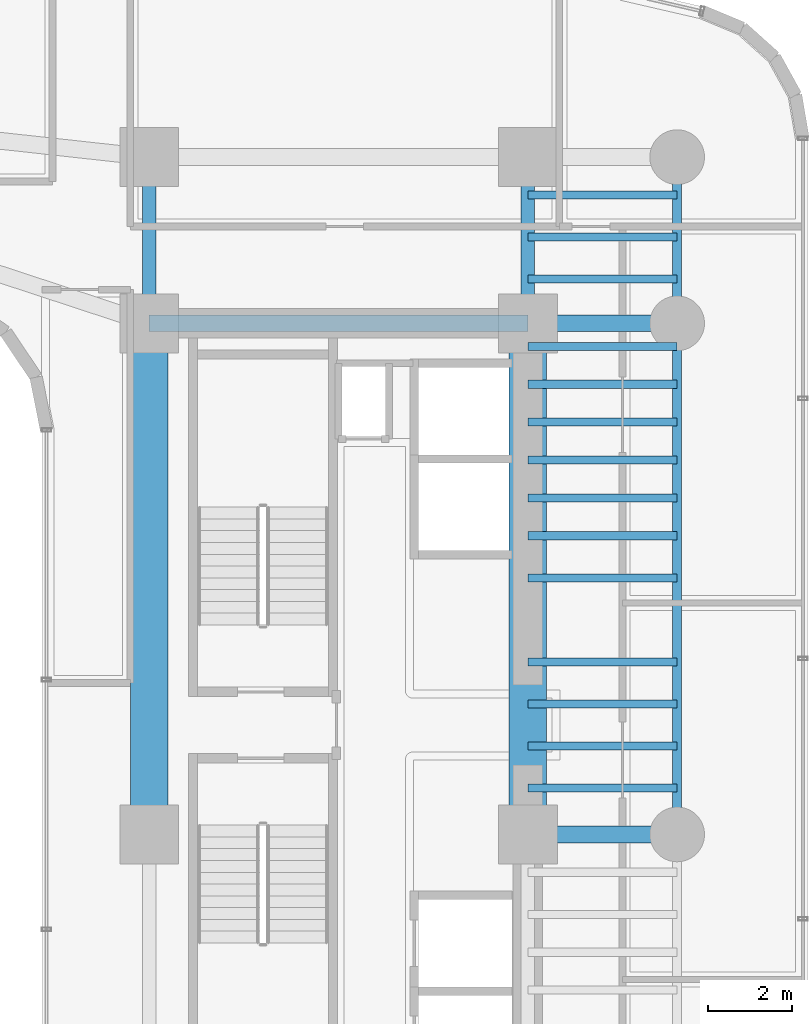
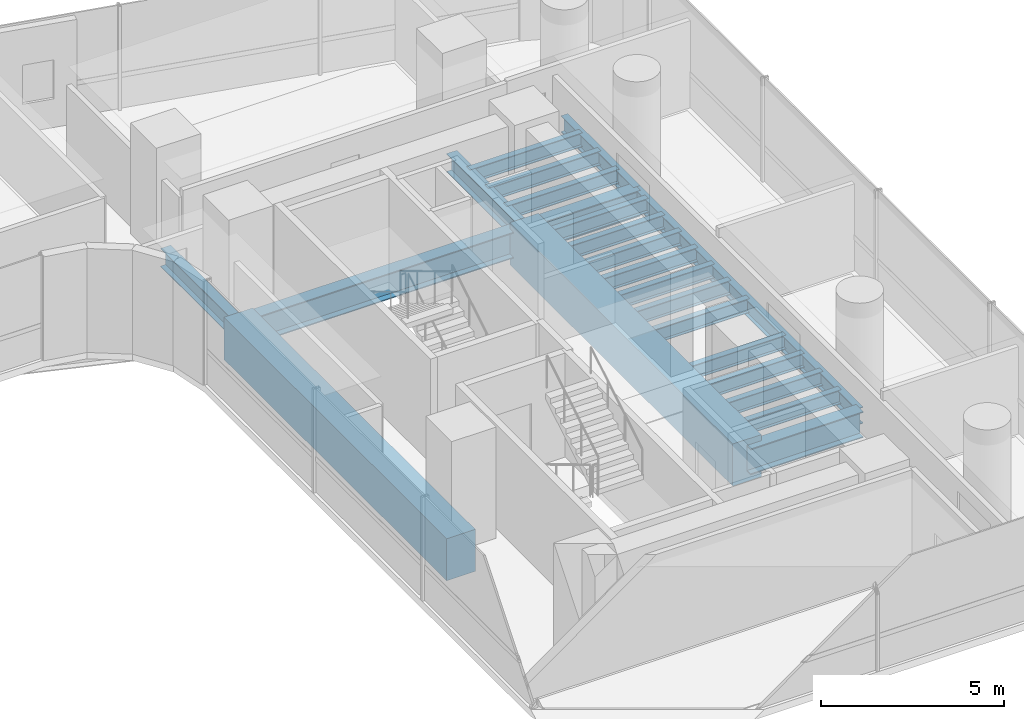
# One storey, part 18 of 40: 23 beams.
"""IFC4 building model written with IfcOpenShell, lengths in metres."""

from ifc_helpers import new_model, si_unit, direction, frame, origin, origin_2d, place, context, subcontext, project, spatial, rectangle, i_section, extrude, source, transform, mapped, material, material_profile, profile_set, type_object, element, save


model = new_model("IFC4")

# Units and contexts
model_context = context("Model", 3, precision=1e-05, world=origin(), true_north=direction((0.0, 1.0)))
body_context = subcontext(model_context, "Body", "Model", "MODEL_VIEW")
ifc_project = project(units=[si_unit("LENGTHUNIT", "METRE"), si_unit("AREAUNIT", "SQUARE_METRE"), si_unit("VOLUMEUNIT", "CUBIC_METRE"), si_unit("PLANEANGLEUNIT", "RADIAN"), si_unit("MASSUNIT", "GRAM", prefix="KILO")], contexts=[model_context])

# Site, building, storey
site_placement = place(None, origin())
site = spatial("IfcSite", under=ifc_project, at=site_placement, CompositionType="ELEMENT")
building_placement = place(site_placement, origin())
building = spatial("IfcBuilding", under=site, at=building_placement, Name="Valdorenza Pilgrim Sanctuary Tower", CompositionType="ELEMENT")
storey_placement = place(building_placement, frame((0.0, 0.0, 81.5)))
storey = spatial("IfcBuildingStorey", under=building, at=storey_placement, Name="L20", CompositionType="ELEMENT", Elevation=81.5)

# Beams
ifc_material_1 = material(Name="Concrete C60/75", Category="concrete")
ifc_material_profile_1 = material_profile(ifc_material_1, rectangle(XDim=0.89990234375, YDim=1.39990234375, at=origin_2d()), Name="RC 1400x900")
ifc_profile_set_1 = profile_set([ifc_material_profile_1], Name="Concrete C60/75")
beam_type_1 = type_object("IfcBeamType", Name="STR-BM-LNT-1400", PredefinedType="LINTEL", material=ifc_profile_set_1)
shared_shape_1 = source(origin(), body_context, "Body", "SweptSolid", [
    extrude(rectangle(XDim=0.89990234375, YDim=1.39990234375, at=origin_2d()), origin(), (0.0, 0.0, 1.0), 12.150146484375),
])
for number, where, z_axis, x_axis, name in (
    (1, (15.85009765625, -2.60009765625, -0.739990234375), (0.0, 1.0, 0.0), (-1.0, 0.0, 0.0), "L20 Core B West Coupling Lintel Girder"),
    (2, (24.85009765625, -2.60009765625, -0.739990234375), (0.0, 1.0, 0.0), (-1.0, 0.0, 0.0), "L20 Core B East Coupling Lintel Girder"),
):
    element("IfcBeam", number, at=place(storey_placement, frame(where, z_axis=z_axis, x_axis=x_axis)), inside=storey, type_object=beam_type_1, Name=name, PredefinedType="LINTEL", context=body_context, shape_type="MappedRepresentation", body=[
        mapped(shared_shape_1, transform((0.0, 0.0, 0.0), x_axis=(1.0, 0.0, 0.0), y_axis=(0.0, 1.0, 0.0), z_axis=(0.0, 0.0, 1.0), scale=1.0)),
    ])
ifc_material_2 = material(Name="Steel ASTM A992 Grade 50", Category="steel")
ifc_material_profile_2 = material_profile(ifc_material_2, i_section(OverallWidth=0.214111328125, OverallDepth=0.549072265625, WebThickness=0.0146484375, FlangeThickness=0.023681640625, at=origin_2d()), Name="W21X93")
ifc_profile_set_2 = profile_set([ifc_material_profile_2], Name="Steel ASTM A992 Grade 50")
beam_type_2 = type_object("IfcBeamType", Name="STR-BM-SPN-W21A", PredefinedType="SPANDREL", material=ifc_profile_set_2)
shared_shape_2 = source(origin(), body_context, "Body", "SweptSolid", [
    extrude(i_section(OverallWidth=0.214111328125, OverallDepth=0.549072265625, WebThickness=0.0146484375, FlangeThickness=0.023681640625, at=origin_2d()), origin(), (0.0, 0.0, 1.0), 12.150146484375),
])
beam_1_placement = place(storey_placement, frame((28.39990234375, -2.60009765625, -0.514404296875), z_axis=(0.0, 1.0, 0.0), x_axis=(-1.0, 0.0, 0.0)))
element("IfcBeam", 3, at=beam_1_placement, inside=storey, type_object=beam_type_2, Name="L20 Spandrel Beam WB-E-M0N1", PredefinedType="SPANDREL", context=body_context, shape_type="MappedRepresentation", body=[
    mapped(shared_shape_2, transform((0.0, 0.0, 0.0), x_axis=(1.0, 0.0, 0.0), y_axis=(0.0, 1.0, 0.0), z_axis=(0.0, 0.0, 1.0), scale=1.0)),
])
ifc_material_profile_3 = material_profile(ifc_material_2, i_section(OverallWidth=0.323974609375, OverallDepth=0.611083984375, WebThickness=0.0126953125, FlangeThickness=0.01904296875, at=origin_2d()), Name="W24X104")
ifc_profile_set_3 = profile_set([ifc_material_profile_3], Name="Steel ASTM A992 Grade 50")
beam_type_3 = type_object("IfcBeamType", Name="STR-BM-GRD-W24B", PredefinedType="BEAM", material=ifc_profile_set_3)
shared_shape_3 = source(origin(), body_context, "Body", "SweptSolid", [
    extrude(i_section(OverallWidth=0.323974609375, OverallDepth=0.611083984375, WebThickness=0.0126953125, FlangeThickness=0.01904296875, at=origin_2d()), origin(), (0.0, 0.0, 1.0), 3.949951171875),
])
for number, where, z_axis, x_axis, name in (
    (4, (15.85009765625, 9.550048828125, -0.54541015625), (0.0, 1.0, 0.0), (-1.0, 0.0, 0.0), "L20 Core Tie Girder CB-W-N1N2"),
    (5, (24.85009765625, 9.550048828125, -0.54541015625), (0.0, 1.0, 0.0), (-1.0, 0.0, 0.0), "L20 Core Tie Girder CB-E-N1N2"),
):
    element("IfcBeam", number, at=place(storey_placement, frame(where, z_axis=z_axis, x_axis=x_axis)), inside=storey, type_object=beam_type_3, Name=name, PredefinedType="BEAM", context=body_context, shape_type="MappedRepresentation", body=[
        mapped(shared_shape_3, transform((0.0, 0.0, 0.0), x_axis=(1.0, 0.0, 0.0), y_axis=(0.0, 1.0, 0.0), z_axis=(0.0, 0.0, 1.0), scale=1.0)),
    ])
shared_shape_4 = source(origin(), body_context, "Body", "SweptSolid", [
    extrude(i_section(OverallWidth=0.214111328125, OverallDepth=0.549072265625, WebThickness=0.0146484375, FlangeThickness=0.023681640625, at=origin_2d()), origin(), (0.0, 0.0, 1.0), 3.949951171875),
])
beam_2_placement = place(storey_placement, frame((28.39990234375, 9.550048828125, -0.514404296875), z_axis=(0.0, 1.0, 0.0), x_axis=(-1.0, 0.0, 0.0)))
element("IfcBeam", 6, at=beam_2_placement, inside=storey, type_object=beam_type_2, Name="L20 Spandrel Beam WB-E-N1N2", PredefinedType="SPANDREL", context=body_context, shape_type="MappedRepresentation", body=[
    mapped(shared_shape_4, transform((0.0, 0.0, 0.0), x_axis=(1.0, 0.0, 0.0), y_axis=(0.0, 1.0, 0.0), z_axis=(0.0, 0.0, 1.0), scale=1.0)),
])
ifc_material_profile_4 = material_profile(ifc_material_2, i_section(OverallWidth=0.193115234375, OverallDepth=0.466064453125, WebThickness=0.011474609375, FlangeThickness=0.01904296875, at=origin_2d()), Name="W18X65")
ifc_profile_set_4 = profile_set([ifc_material_profile_4], Name="Steel ASTM A992 Grade 50")
beam_type_4 = type_object("IfcBeamType", Name="STR-BM-JST-W18A", PredefinedType="JOIST", material=ifc_profile_set_4)
shared_shape_5 = source(origin(), body_context, "Body", "SweptSolid", [
    extrude(i_section(OverallWidth=0.193115234375, OverallDepth=0.466064453125, WebThickness=0.011474609375, FlangeThickness=0.01904296875, at=origin_2d()), origin(), (0.0, 0.0, 1.0), 3.5498046875),
])
for number, where, z_axis, x_axis, name in (
    (7, (24.85009765625, -1.5, -0.472900390625), (1.0, 0.0, 0.0), (0.0, 1.0, 0.0), "L20 Composite Floor Joist JST-WB-8"),
    (8, (24.85009765625, -0.5, -0.472900390625), (1.0, 0.0, 0.0), (0.0, 1.0, 0.0), "L20 Composite Floor Joist JST-WB-9"),
    (9, (24.85009765625, 0.5, -0.472900390625), (1.0, 0.0, 0.0), (0.0, 1.0, 0.0), "L20 Composite Floor Joist JST-WB-10"),
    (10, (24.85009765625, 1.5, -0.472900390625), (1.0, 0.0, 0.0), (0.0, 1.0, 0.0), "L20 Composite Floor Joist JST-WB-11"),
    (11, (24.85009765625, 3.5, -0.472900390625), (1.0, 0.0, 0.0), (0.0, 1.0, 0.0), "L20 Composite Floor Joist JST-WB-12"),
    (12, (24.85009765625, 4.5, -0.472900390625), (1.0, 0.0, 0.0), (0.0, 1.0, 0.0), "L20 Composite Floor Joist JST-WB-13"),
    (13, (24.85009765625, 5.39990234375, -0.472900390625), (1.0, 0.0, 0.0), (0.0, 1.0, 0.0), "L20 Composite Floor Joist JST-WB-14"),
    (14, (24.85009765625, 6.300048828125, -0.472900390625), (1.0, 0.0, 0.0), (0.0, 1.0, 0.0), "L20 Composite Floor Joist JST-WB-15"),
    (15, (24.85009765625, 7.199951171875, -0.472900390625), (1.0, 0.0, 0.0), (0.0, 1.0, 0.0), "L20 Composite Floor Joist JST-WB-16"),
    (16, (24.85009765625, 8.10009765625, -0.472900390625), (1.0, 0.0, 0.0), (0.0, 1.0, 0.0), "L20 Composite Floor Joist JST-WB-17"),
    (17, (24.85009765625, 9.0, -0.472900390625), (1.0, 0.0, 0.0), (0.0, 1.0, 0.0), "L20 Composite Floor Joist JST-WB-18"),
    (18, (24.85009765625, 10.60009765625, -0.472900390625), (1.0, 0.0, 0.0), (0.0, 1.0, 0.0), "L20 Composite Floor Joist JST-WB-19"),
    (19, (24.85009765625, 11.60009765625, -0.472900390625), (1.0, 0.0, 0.0), (0.0, 1.0, 0.0), "L20 Composite Floor Joist JST-WB-20"),
    (20, (24.85009765625, 12.60009765625, -0.472900390625), (1.0, 0.0, 0.0), (0.0, 1.0, 0.0), "L20 Composite Floor Joist JST-WB-21"),
):
    element("IfcBeam", number, at=place(storey_placement, frame(where, z_axis=z_axis, x_axis=x_axis)), inside=storey, type_object=beam_type_4, Name=name, PredefinedType="JOIST", context=body_context, shape_type="MappedRepresentation", body=[
        mapped(shared_shape_5, transform((0.0, 0.0, 0.0), x_axis=(1.0, 0.0, 0.0), y_axis=(0.0, 1.0, 0.0), z_axis=(0.0, 0.0, 1.0), scale=1.0)),
    ])
ifc_material_profile_5 = material_profile(ifc_material_2, i_section(OverallWidth=0.39990234375, OverallDepth=0.862060546875, WebThickness=0.019775390625, FlangeThickness=0.032470703125, at=origin_2d()), Name="W33X221")
ifc_profile_set_5 = profile_set([ifc_material_profile_5], Name="Steel ASTM A992 Grade 50")
beam_type_5 = type_object("IfcBeamType", Name="STR-BM-GRD-W33", PredefinedType="BEAM", material=ifc_profile_set_5)
shared_shape_6 = source(origin(), body_context, "Body", "SweptSolid", [
    extrude(i_section(OverallWidth=0.39990234375, OverallDepth=0.862060546875, WebThickness=0.019775390625, FlangeThickness=0.032470703125, at=origin_2d()), origin(), (0.0, 0.0, 1.0), 9.0),
])
beam_3_placement = place(storey_placement, frame((15.85009765625, 9.550048828125, -0.6708984375), z_axis=(1.0, 0.0, 0.0), x_axis=(0.0, 1.0, 0.0)))
element("IfcBeam", 21, at=beam_3_placement, inside=storey, type_object=beam_type_5, Name="L20 Floor Girder CB-XC-N1", PredefinedType="BEAM", context=body_context, shape_type="MappedRepresentation", body=[
    mapped(shared_shape_6, transform((0.0, 0.0, 0.0), x_axis=(1.0, 0.0, 0.0), y_axis=(0.0, 1.0, 0.0), z_axis=(0.0, 0.0, 1.0), scale=1.0)),
])
shared_shape_7 = source(origin(), body_context, "Body", "SweptSolid", [
    extrude(i_section(OverallWidth=0.39990234375, OverallDepth=0.862060546875, WebThickness=0.019775390625, FlangeThickness=0.032470703125, at=origin_2d()), origin(), (0.0, 0.0, 1.0), 3.5498046875),
])
for number, where, z_axis, x_axis, name in (
    (22, (24.85009765625, -2.60009765625, -0.6708984375), (1.0, 0.0, 0.0), (0.0, 1.0, 0.0), "L20 Floor Girder WB-XE-M0"),
    (23, (24.85009765625, 9.550048828125, -0.6708984375), (1.0, 0.0, 0.0), (0.0, 1.0, 0.0), "L20 Floor Girder WB-XE-N1"),
):
    element("IfcBeam", number, at=place(storey_placement, frame(where, z_axis=z_axis, x_axis=x_axis)), inside=storey, type_object=beam_type_5, Name=name, PredefinedType="BEAM", context=body_context, shape_type="MappedRepresentation", body=[
        mapped(shared_shape_7, transform((0.0, 0.0, 0.0), x_axis=(1.0, 0.0, 0.0), y_axis=(0.0, 1.0, 0.0), z_axis=(0.0, 0.0, 1.0), scale=1.0)),
    ])

save(model, "model.ifc")
